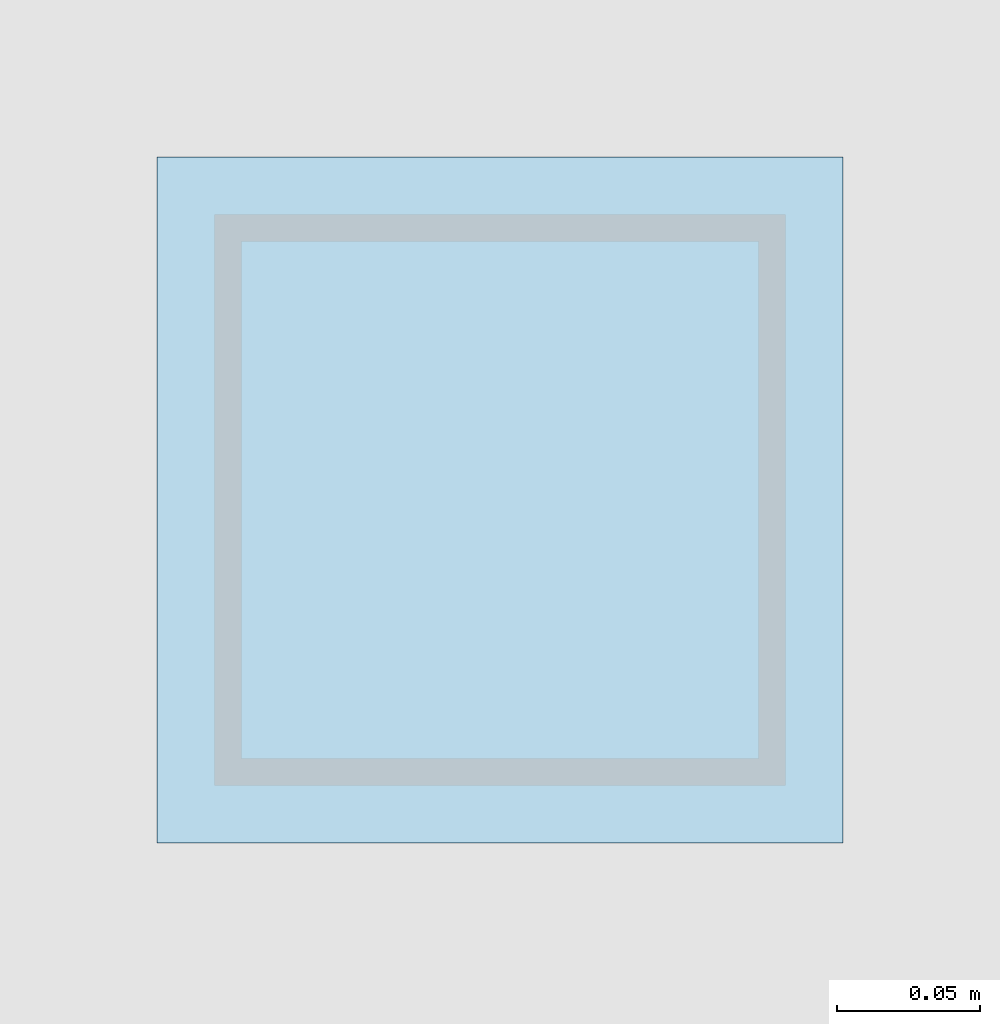
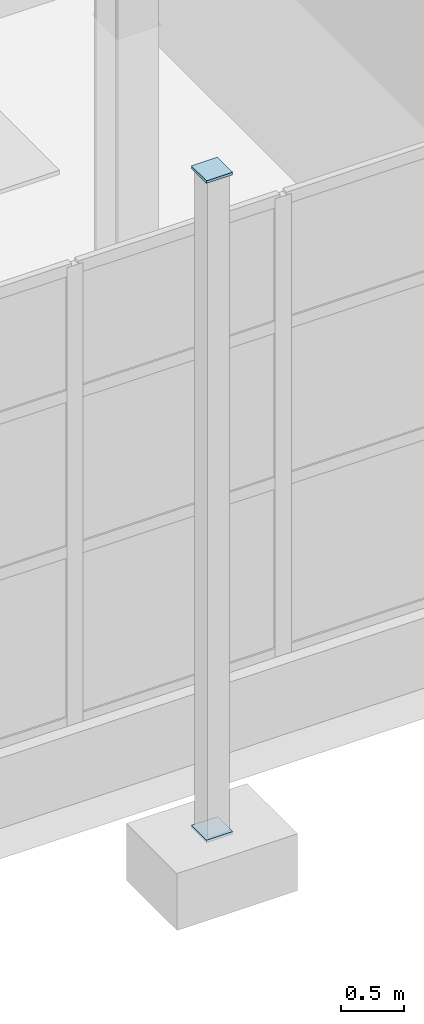
# One storey, part 87 of 120: 2 plates.
"""IFC4 building model written with IfcOpenShell, lengths in metres."""

from ifc_helpers import new_model, si_unit, direction, frame, origin, origin_2d, place, context, subcontext, project, spatial, rectangle, extrude, material, layer, layer_set, type_object, element, save


model = new_model("IFC4")

# Units and contexts
model_context = context("Model", 3, precision=1e-05, world=origin(), true_north=direction((0.0, 1.0)))
body_context = subcontext(model_context, "Body", "Model", "MODEL_VIEW")
ifc_project = project(units=[si_unit("LENGTHUNIT", "METRE"), si_unit("AREAUNIT", "SQUARE_METRE"), si_unit("VOLUMEUNIT", "CUBIC_METRE"), si_unit("PLANEANGLEUNIT", "RADIAN"), si_unit("MASSUNIT", "GRAM", prefix="KILO")], contexts=[model_context])

# Site, building, storey
site_placement = place(None, origin())
site = spatial("IfcSite", under=ifc_project, at=site_placement, CompositionType="ELEMENT")
building_placement = place(site_placement, origin())
building = spatial("IfcBuilding", under=site, at=building_placement, Name="Siltcreek Boulevard Central Fire Station", CompositionType="ELEMENT")
storey_placement = place(building_placement, origin())
storey = spatial("IfcBuildingStorey", under=building, at=storey_placement, Name="L01", CompositionType="ELEMENT", Elevation=0.0)

# Plates
ifc_material = material(Name="Structural steel ASTM A572 Gr50", Category="steel")
ifc_layer = layer(ifc_material, 0.02490234375, Name="Structural steel ASTM A572 Gr50")
ifc_layer_set = layer_set([ifc_layer], Name="Structural steel ASTM A572 Gr50")
plate_type = type_object("IfcPlateType", Name="PL_CAP25", PredefinedType="USERDEFINED", material=ifc_layer_set)
for number, where, z_axis, x_axis, name in (
    (1, (127.199951171875, 87.64990234375, -0.373046875), (0.0, 0.0, 1.0), (1.0, 0.0, 0.0), "Terracotta pier pilaster column PL-16 sealed end cap 1"),
    (2, (127.199951171875, 87.64990234375, 5.998046875), (0.0, 0.0, 1.0), (1.0, 0.0, 0.0), "Terracotta pier pilaster column PL-16 sealed end cap 2"),
):
    element("IfcPlate", number, at=place(storey_placement, frame(where, z_axis=z_axis, x_axis=x_axis)), inside=storey, type_object=plate_type, Name=name, ObjectType="END CAP", PredefinedType="USERDEFINED", context=body_context, shape_type="SweptSolid", body=[
        extrude(rectangle(XDim=0.239990234375, YDim=0.239990234375, at=origin_2d()), origin(), (0.0, 0.0, 1.0), 0.02490234375),
    ])

save(model, "model.ifc")
